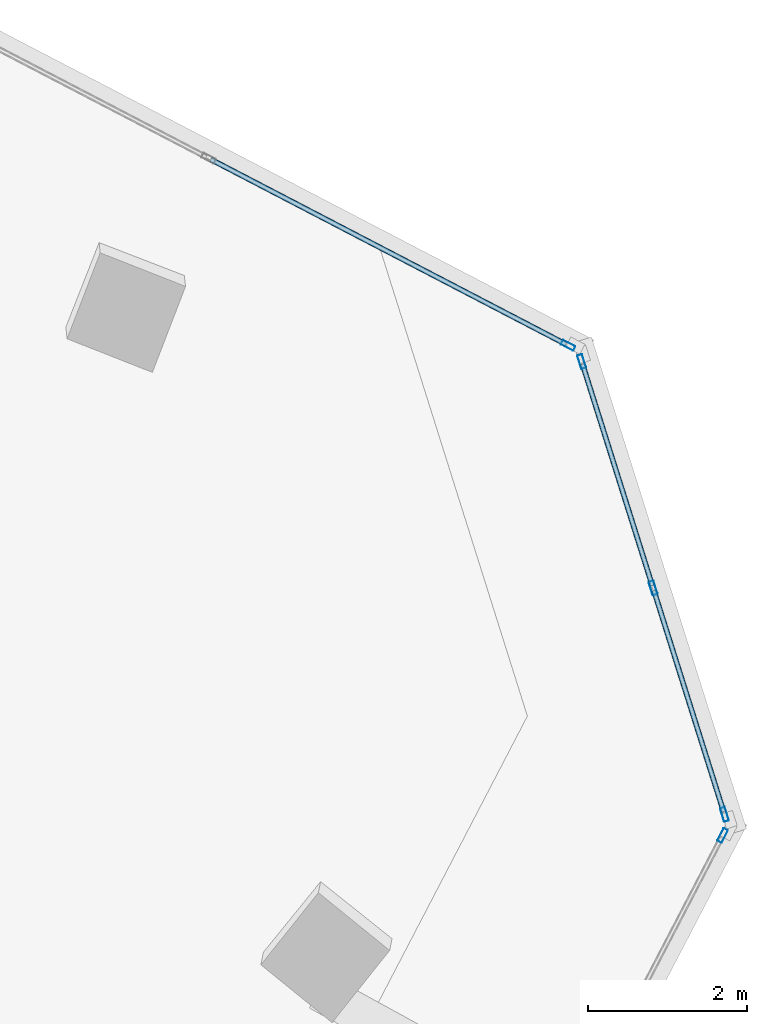
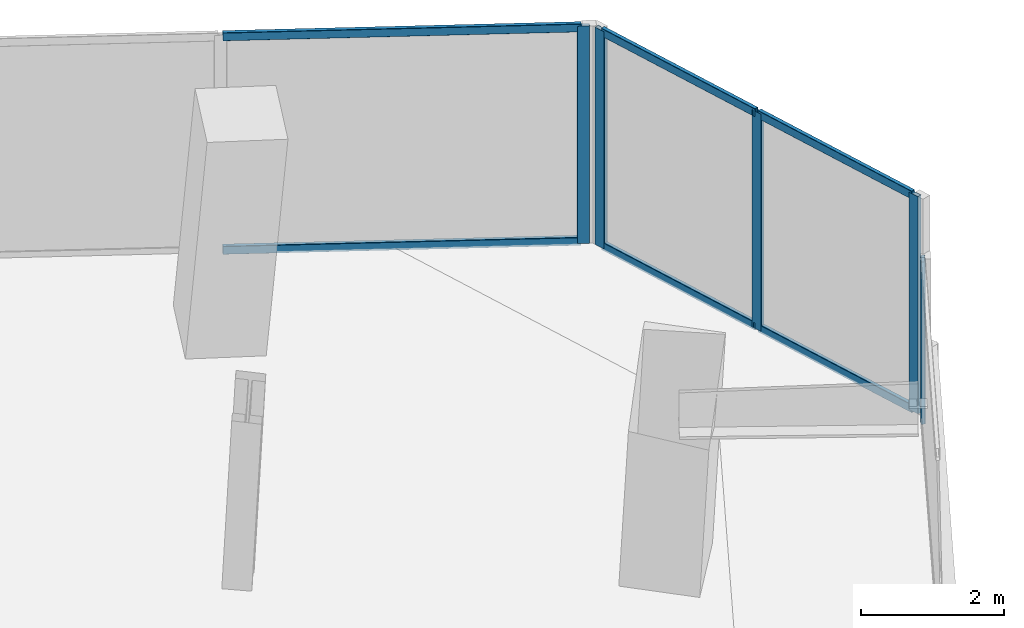
# One storey, part 11 of 22: 11 members, 3 elements without a shape of their own.
"""IFC4 building model written with IfcOpenShell, lengths in metres."""

from ifc_helpers import new_model, si_unit, direction, frame, origin, origin_2d, place, context, subcontext, project, spatial, hollow_rectangle, extrude, source, transform, mapped, material, material_profile, profile_set, type_object, element, aggregate, save


model = new_model("IFC4")

# Units and contexts
model_context = context("Model", 3, precision=1e-05, world=origin(), true_north=direction((0.0, 1.0)))
body_context = subcontext(model_context, "Body", "Model", "MODEL_VIEW")
ifc_project = project(units=[si_unit("LENGTHUNIT", "METRE"), si_unit("AREAUNIT", "SQUARE_METRE"), si_unit("VOLUMEUNIT", "CUBIC_METRE"), si_unit("PLANEANGLEUNIT", "RADIAN"), si_unit("MASSUNIT", "GRAM", prefix="KILO")], contexts=[model_context])

# Site, building, storey
site_placement = place(None, origin())
site = spatial("IfcSite", under=ifc_project, at=site_placement, CompositionType="ELEMENT")
building_placement = place(site_placement, origin())
building = spatial("IfcBuilding", under=site, at=building_placement, Name="Torre Montelarca", CompositionType="ELEMENT")
storey_placement = place(building_placement, frame((0.0, 0.0, 170.800048828125)))
storey = spatial("IfcBuildingStorey", under=building, at=storey_placement, Name="L38", CompositionType="ELEMENT", Elevation=170.800048828125)

# Curtain wall, members
ifc_material_1 = material(Name="Insulated low-E laminated glass", Category="glass")
curtain_wall_type = type_object("IfcCurtainWallType", Name="CW-SYS-Z2", PredefinedType="USERDEFINED", material=ifc_material_1)
curtain_wall_1_placement = place(storey_placement, origin())
curtain_wall_1 = element("IfcCurtainWall", 1, at=curtain_wall_1_placement, inside=storey, type_object=curtain_wall_type, Name="L38 Curtain Wall Run CW-T3-L38-E07-B1", ObjectType="UNITISED GLAZING", PredefinedType="USERDEFINED")
ifc_material_2 = material(Name="Anodised aluminium AA 6063-T6", Category="aluminium")
ifc_material_profile_1 = material_profile(ifc_material_2, hollow_rectangle(XDim=0.06494140625, YDim=0.139892578125, WallThickness=0.00390625, InnerFilletRadius=0.00390625, OuterFilletRadius=0.008056640625, at=origin_2d()), Name="ALU65X140X4", Category="aluminium")
ifc_profile_set_1 = profile_set([ifc_material_profile_1], Name="Anodised aluminium AA 6063-T6")
member_type_1 = type_object("IfcMemberType", Name="CWT-ALU140", PredefinedType="USERDEFINED", material=ifc_profile_set_1)
shared_shape_1 = source(origin(), body_context, "Body", "SweptSolid", [
    extrude(hollow_rectangle(XDim=0.06494140625, YDim=0.139892578125, WallThickness=0.00390625, InnerFilletRadius=0.00390625, OuterFilletRadius=0.008056640625, at=origin_2d()), origin(), (0.0, 0.0, 1.0), 2.918701171875),
])
member_1_placement = place(storey_placement, frame((53.674072265625, 28.52197265625, 0.032470703125), z_axis=(-0.30062691611, 0.953741819, 0.0), x_axis=(-0.953741819, -0.30062691611, 0.0)))
member_1 = element("IfcMember", 2, at=member_1_placement, type_object=member_type_1, Name="CW transom 1.1", ObjectType="TRANSOM", PredefinedType="USERDEFINED", context=body_context, shape_type="MappedRepresentation", body=[
    mapped(shared_shape_1, transform((0.0, 0.0, 0.0), scale=1.0)),
])
member_2_placement = place(storey_placement, frame((53.674072265625, 28.52197265625, 3.6875), z_axis=(-0.30062691611, 0.953741819, 0.0), x_axis=(-0.953741819, -0.30062691611, 0.0)))
member_2 = element("IfcMember", 3, at=member_2_placement, type_object=member_type_1, Name="CW transom 1.2", ObjectType="TRANSOM", PredefinedType="USERDEFINED", context=body_context, shape_type="MappedRepresentation", body=[
    mapped(shared_shape_1, transform((0.0, 0.0, 0.0), scale=1.0)),
])
member_3_placement = place(storey_placement, frame((52.77685546875, 31.367431640625, 0.032470703125), z_axis=(-0.30062691611, 0.953741819, 0.0), x_axis=(-0.953741819, -0.30062691611, 0.0)))
member_3 = element("IfcMember", 4, at=member_3_placement, type_object=member_type_1, Name="CW transom 2.1", ObjectType="TRANSOM", PredefinedType="USERDEFINED", context=body_context, shape_type="MappedRepresentation", body=[
    mapped(shared_shape_1, transform((0.0, 0.0, 0.0), scale=1.0)),
])
member_4_placement = place(storey_placement, frame((52.77685546875, 31.367431640625, 3.6875), z_axis=(-0.30062691611, 0.953741819, 0.0), x_axis=(-0.953741819, -0.30062691611, 0.0)))
member_4 = element("IfcMember", 5, at=member_4_placement, type_object=member_type_1, Name="CW transom 2.2", ObjectType="TRANSOM", PredefinedType="USERDEFINED", context=body_context, shape_type="MappedRepresentation", body=[
    mapped(shared_shape_1, transform((0.0, 0.0, 0.0), scale=1.0)),
])
ifc_material_profile_2 = material_profile(ifc_material_2, hollow_rectangle(XDim=0.06494140625, YDim=0.179931640625, WallThickness=0.00390625, InnerFilletRadius=0.00390625, OuterFilletRadius=0.008056640625, at=origin_2d()), Name="ALU65X180X4", Category="aluminium")
ifc_profile_set_2 = profile_set([ifc_material_profile_2], Name="Anodised aluminium AA 6063-T6")
member_type_2 = type_object("IfcMemberType", Name="CWM-ALU180", PredefinedType="MULLION", material=ifc_profile_set_2)
shared_shape_2 = source(origin(), body_context, "Body", "SweptSolid", [
    extrude(hollow_rectangle(XDim=0.06494140625, YDim=0.179931640625, WallThickness=0.00390625, InnerFilletRadius=0.00390625, OuterFilletRadius=0.008056640625, at=origin_2d()), origin(), (0.0, 0.0, 1.0), 3.719970703125),
])
member_5_placement = place(storey_placement, frame((53.683837890625, 28.490966796875, 0.0), z_axis=(0.0, 0.0, 1.0), x_axis=(-0.953719112102, -0.30069894448, 0.0)))
member_5 = element("IfcMember", 6, at=member_5_placement, type_object=member_type_2, Name="CW mullion 1", PredefinedType="MULLION", context=body_context, shape_type="MappedRepresentation", body=[
    mapped(shared_shape_2, transform((0.0, 0.0, 0.0), scale=1.0)),
])
member_6_placement = place(storey_placement, frame((52.786865234375, 31.336669921875, 0.0), z_axis=(0.0, 0.0, 1.0), x_axis=(-0.953719112102, -0.30069894448, 0.0)))
member_6 = element("IfcMember", 7, at=member_6_placement, type_object=member_type_2, Name="CW mullion 2", PredefinedType="MULLION", context=body_context, shape_type="MappedRepresentation", body=[
    mapped(shared_shape_2, transform((0.0, 0.0, 0.0), scale=1.0)),
])
member_7_placement = place(storey_placement, frame((51.8896484375, 34.18212890625, 0.0), z_axis=(0.0, 0.0, 1.0), x_axis=(-0.953719112102, -0.30069894448, 0.0)))
member_7 = element("IfcMember", 8, at=member_7_placement, type_object=member_type_2, Name="CW mullion 3", PredefinedType="MULLION", context=body_context, shape_type="MappedRepresentation", body=[
    mapped(shared_shape_2, transform((0.0, 0.0, 0.0), scale=1.0)),
])
aggregate(curtain_wall_1, [member_5, member_6, member_7, member_1, member_2, member_3, member_4])

# Curtain wall, member
curtain_wall_2_placement = place(storey_placement, origin())
curtain_wall_2 = element("IfcCurtainWall", 9, at=curtain_wall_2_placement, inside=storey, type_object=curtain_wall_type, Name="L38 Curtain Wall Run CW-T3-L38-E08-B1", ObjectType="UNITISED GLAZING", PredefinedType="USERDEFINED")
member_8_placement = place(storey_placement, frame((51.718017578125, 34.38671875, 0.0), z_axis=(0.0, 0.0, 1.0), x_axis=(-0.461743267935, -0.887013615745, 0.0)))
member_8 = element("IfcMember", 10, at=member_8_placement, type_object=member_type_2, Name="CW mullion 1", PredefinedType="MULLION", context=body_context, shape_type="MappedRepresentation", body=[
    mapped(shared_shape_2, transform((0.0, 0.0, 0.0), scale=1.0)),
])

curtain_wall_3_placement = place(storey_placement, origin())
curtain_wall_3 = element("IfcCurtainWall", 11, at=curtain_wall_3_placement, inside=storey, type_object=curtain_wall_type, Name="L38 Curtain Wall Run CW-T3-L38-E06-B1", ObjectType="UNITISED GLAZING", PredefinedType="USERDEFINED")
shared_shape_3 = source(origin(), body_context, "Body", "SweptSolid", [
    extrude(hollow_rectangle(XDim=0.06494140625, YDim=0.179931640625, WallThickness=0.00390625, InnerFilletRadius=0.00390625, OuterFilletRadius=0.008056640625, at=origin_2d()), origin(), (0.0, 0.0, 1.0), 2.77490234375),
])
member_9_placement = place(storey_placement, frame((53.66064453125, 28.22509765625, 0.0), z_axis=(0.0, 0.0, 1.0), x_axis=(-0.887014000849, 0.461742528145, 0.0)))
member_9 = element("IfcMember", 12, at=member_9_placement, type_object=member_type_2, Name="CW mullion 3", PredefinedType="MULLION", context=body_context, shape_type="MappedRepresentation", body=[
    mapped(shared_shape_3, transform((0.0, 0.0, 0.0), scale=1.0)),
])
aggregate(curtain_wall_3, [member_9])

# Member
shared_shape_4 = source(origin(), body_context, "Body", "SweptSolid", [
    extrude(hollow_rectangle(XDim=0.06494140625, YDim=0.139892578125, WallThickness=0.00390625, InnerFilletRadius=0.00390625, OuterFilletRadius=0.008056640625, at=origin_2d()), origin(), (0.0, 0.0, 1.0), 5.029541015625),
])
member_10_placement = place(storey_placement, frame((51.689208984375, 34.401611328125, 0.032470703125), z_axis=(-0.887027577991, 0.461716445324, 0.0), x_axis=(-0.461716445324, -0.887027577991, 0.0)))
member_10 = element("IfcMember", 13, at=member_10_placement, type_object=member_type_1, Name="CW transom 1.1", ObjectType="TRANSOM", PredefinedType="USERDEFINED", context=body_context, shape_type="MappedRepresentation", body=[
    mapped(shared_shape_4, transform((0.0, 0.0, 0.0), scale=1.0)),
])

member_11_placement = place(storey_placement, frame((51.689208984375, 34.401611328125, 3.6875), z_axis=(-0.887027577991, 0.461716445324, 0.0), x_axis=(-0.461716445324, -0.887027577991, 0.0)))
member_11 = element("IfcMember", 14, at=member_11_placement, type_object=member_type_1, Name="CW transom 1.2", ObjectType="TRANSOM", PredefinedType="USERDEFINED", context=body_context, shape_type="MappedRepresentation", body=[
    mapped(shared_shape_4, transform((0.0, 0.0, 0.0), scale=1.0)),
])

aggregate(curtain_wall_2, [member_8, member_10, member_11])

save(model, "model.ifc")
